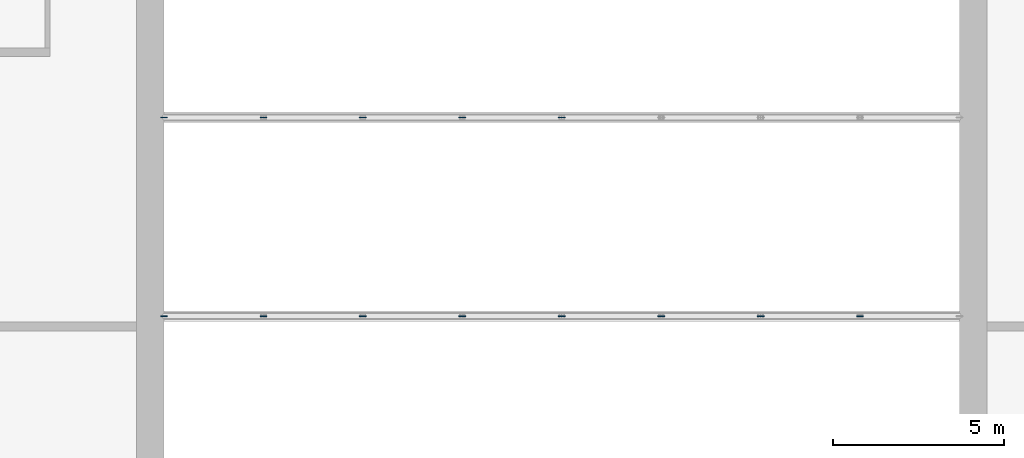
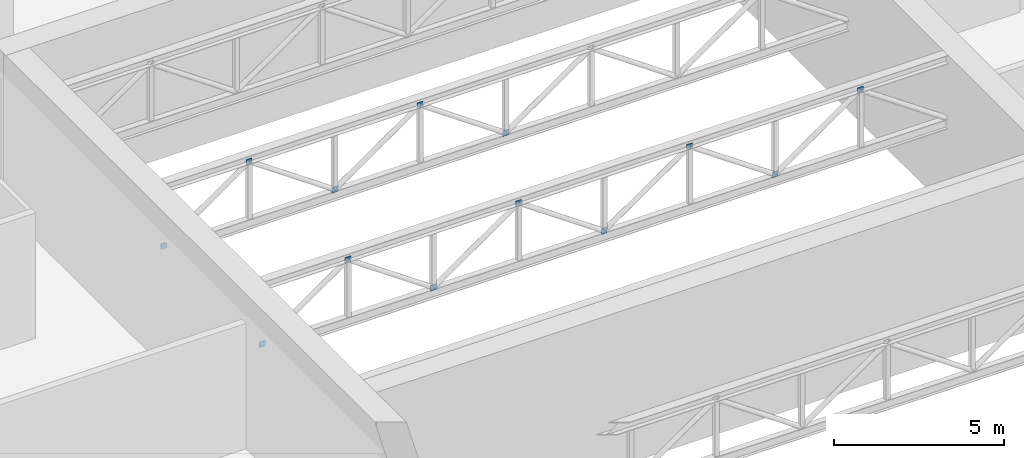
# One storey, part 12 of 35: 13 plates.
"""IFC4 building model written with IfcOpenShell, lengths in metres."""

from ifc_helpers import new_model, si_unit, direction, frame, origin, origin_2d, place, context, subcontext, project, spatial, rectangle, extrude, material, layer, layer_set, type_object, element, save


model = new_model("IFC4")

# Units and contexts
model_context = context("Model", 3, precision=1e-05, world=origin(), true_north=direction((0.0, 1.0)))
body_context = subcontext(model_context, "Body", "Model", "MODEL_VIEW")
ifc_project = project(units=[si_unit("LENGTHUNIT", "METRE"), si_unit("AREAUNIT", "SQUARE_METRE"), si_unit("VOLUMEUNIT", "CUBIC_METRE"), si_unit("PLANEANGLEUNIT", "RADIAN"), si_unit("MASSUNIT", "GRAM", prefix="KILO")], contexts=[model_context])

# Site, building, storey
site_placement = place(None, origin())
site = spatial("IfcSite", under=ifc_project, at=site_placement, CompositionType="ELEMENT")
building_placement = place(site_placement, origin())
building = spatial("IfcBuilding", under=site, at=building_placement, Name="Kiln Ring Residences", CompositionType="ELEMENT")
storey_placement = place(building_placement, frame((0.0, 0.0, 20.89990234375)))
storey = spatial("IfcBuildingStorey", under=building, at=storey_placement, Name="L04", CompositionType="ELEMENT", Elevation=20.89990234375)

# Plates
ifc_material = material(Name="Steel S460", Category="steel")
ifc_layer = layer(ifc_material, 0.02001953125)
ifc_layer_set = layer_set([ifc_layer], Name="Brace gusset plate 20")
plate_type = type_object("IfcPlateType", Name="Brace gusset plate 20", PredefinedType="SHEET", material=ifc_layer_set)
for number, where, z_axis, x_axis, name in (
    (1, (-11.60009765625, -138.89990234375, 3.125), (0.0, 0.0, 1.0), (1.0, 0.0, 0.0), "Brace gusset plate 4.0"),
    (2, (-8.699951171875, -138.89990234375, 5.14208984375), (0.0, 0.0, 1.0), (1.0, 0.0, 0.0), "Brace gusset plate 4.1"),
    (3, (-5.800048828125, -138.89990234375, 3.125), (0.0, 0.0, 1.0), (1.0, 0.0, 0.0), "Brace gusset plate 4.2"),
    (4, (-2.89990234375, -138.89990234375, 5.14208984375), (0.0, 0.0, 1.0), (1.0, 0.0, 0.0), "Brace gusset plate 4.3"),
    (5, (0.0, -138.89990234375, 3.125), (0.0, 0.0, 1.0), (1.0, 0.0, 0.0), "Brace gusset plate 4.4"),
    (6, (2.89990234375, -138.89990234375, 5.14208984375), (0.0, 0.0, 1.0), (1.0, 0.0, 0.0), "Brace gusset plate 4.5"),
    (7, (5.800048828125, -138.89990234375, 3.125), (0.0, 0.0, 1.0), (1.0, 0.0, 0.0), "Brace gusset plate 4.6"),
    (8, (8.699951171875, -138.89990234375, 5.14208984375), (0.0, 0.0, 1.0), (1.0, 0.0, 0.0), "Brace gusset plate 4.7"),
    (9, (-11.60009765625, -133.10009765625, 3.125), (0.0, 0.0, 1.0), (1.0, 0.0, 0.0), "Brace gusset plate 5.0"),
    (10, (-8.699951171875, -133.10009765625, 5.14208984375), (0.0, 0.0, 1.0), (1.0, 0.0, 0.0), "Brace gusset plate 5.1"),
    (11, (-5.800048828125, -133.10009765625, 3.125), (0.0, 0.0, 1.0), (1.0, 0.0, 0.0), "Brace gusset plate 5.2"),
    (12, (-2.89990234375, -133.10009765625, 5.14208984375), (0.0, 0.0, 1.0), (1.0, 0.0, 0.0), "Brace gusset plate 5.3"),
    (13, (0.0, -133.10009765625, 3.125), (0.0, 0.0, 1.0), (1.0, 0.0, 0.0), "Brace gusset plate 5.4"),
):
    element("IfcPlate", number, at=place(storey_placement, frame(where, z_axis=z_axis, x_axis=x_axis)), inside=storey, type_object=plate_type, Name=name, PredefinedType="SHEET", context=body_context, shape_type="SweptSolid", body=[
        extrude(rectangle(XDim=0.199951171875, YDim=0.02001953125, at=origin_2d()), origin(), (0.0, 0.0, 1.0), 0.199951171875),
    ])

save(model, "model.ifc")
